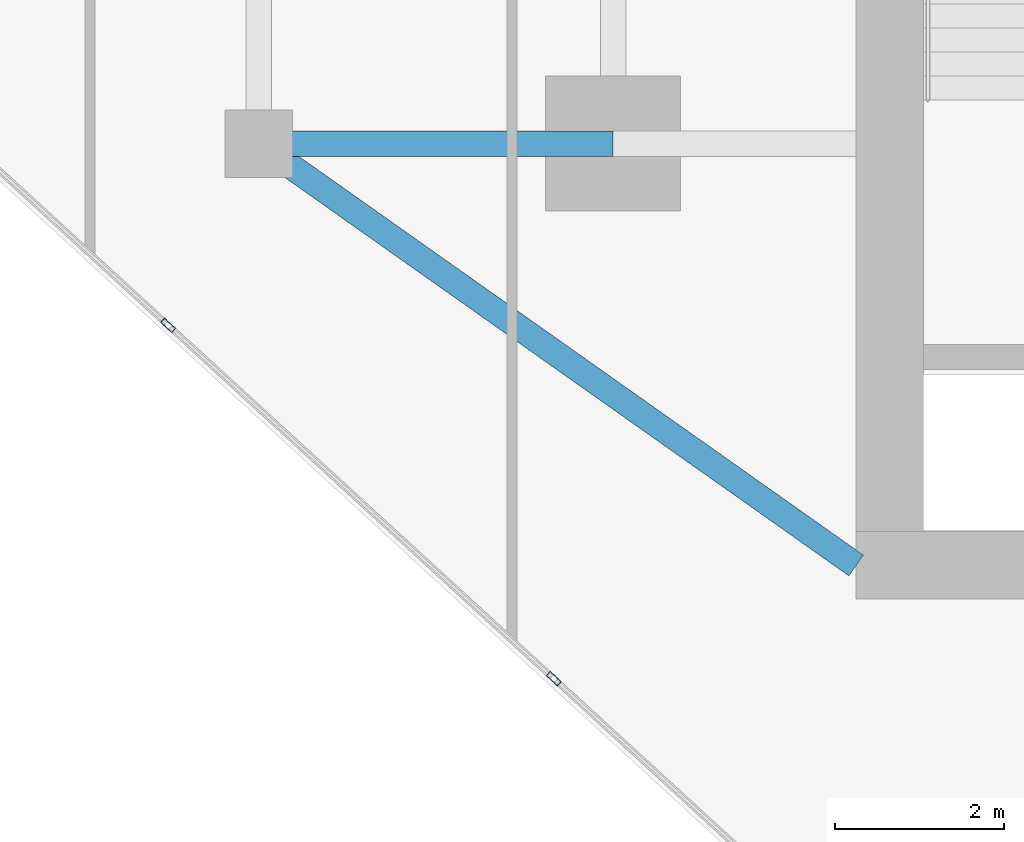
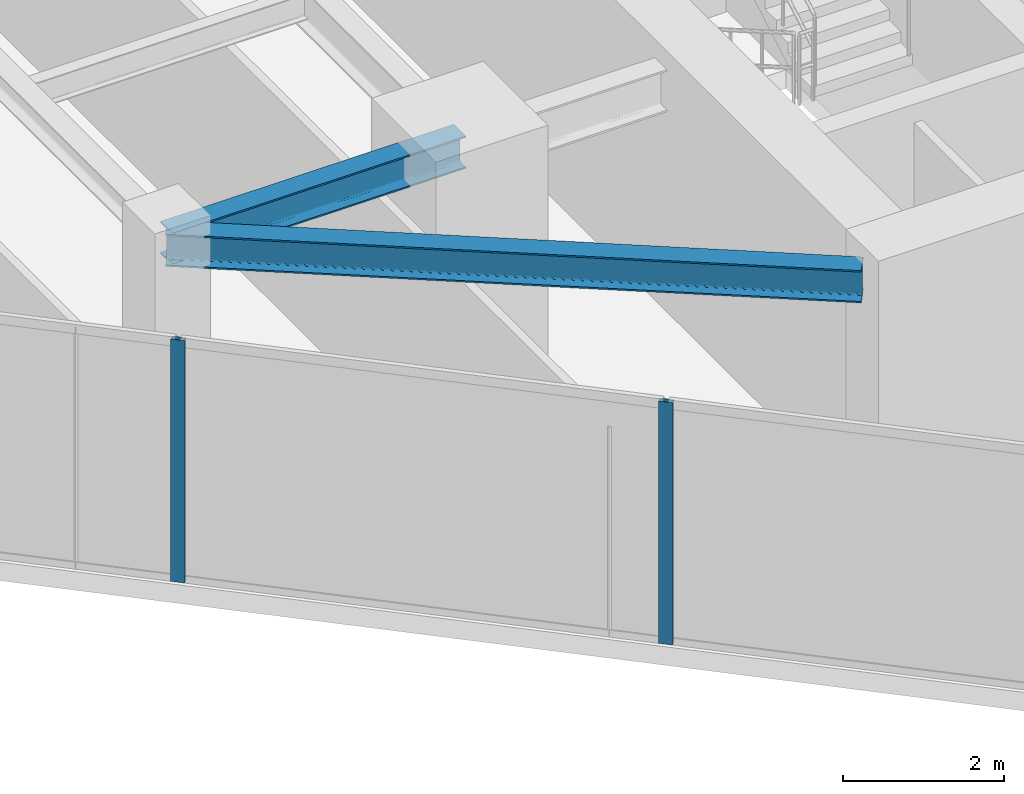
# One storey, part 2 of 26: 2 beams, 2 members, 1 element without a shape of its own.
"""IFC4 building model written with IfcOpenShell, lengths in metres."""

from ifc_helpers import new_model, si_unit, direction, frame, origin, origin_2d, place, context, subcontext, project, spatial, hollow_rectangle, i_section, extrude, source, transform, mapped, material, material_profile, profile_set, type_object, type_shapes, element, aggregate, save


model = new_model("IFC4")

# Units and contexts
model_context = context("Model", 3, precision=1e-05, world=origin(), true_north=direction((0.0, 1.0)))
body_context = subcontext(model_context, "Body", "Model", "MODEL_VIEW")
ifc_project = project(units=[si_unit("LENGTHUNIT", "METRE"), si_unit("AREAUNIT", "SQUARE_METRE"), si_unit("VOLUMEUNIT", "CUBIC_METRE"), si_unit("PLANEANGLEUNIT", "RADIAN"), si_unit("MASSUNIT", "GRAM", prefix="KILO")], contexts=[model_context])

# Site, building, storey
site_placement = place(None, origin())
site = spatial("IfcSite", under=ifc_project, at=site_placement, CompositionType="ELEMENT")
building_placement = place(site_placement, origin())
building = spatial("IfcBuilding", under=site, at=building_placement, Name="Krantzveldt Concourse Tower", CompositionType="ELEMENT")
storey_placement = place(building_placement, frame((0.0, 0.0, 223.10009765625)))
storey = spatial("IfcBuildingStorey", under=building, at=storey_placement, Name="L54", CompositionType="ELEMENT", Elevation=223.10009765625)

# Beams
ifc_material_1 = material(Name="Steel S355JR", Category="steel")
ifc_material_profile_1 = material_profile(ifc_material_1, i_section(OverallWidth=0.300048828125, OverallDepth=0.489990234375, WebThickness=0.011962890625, FlangeThickness=0.02294921875, FilletRadius=0.027099609375, at=origin_2d()), Name="Steel S355JR", Category="steel")
ifc_profile_set_1 = profile_set([ifc_material_profile_1], Name="Steel S355JR - HEA 500")
beam_type = type_object("IfcBeamType", Name="BM-B-HEA500", PredefinedType="BEAM", material=ifc_profile_set_1)
shared_shape_1 = source(origin(), body_context, "Body", "SweptSolid", [
    extrude(i_section(OverallWidth=0.300048828125, OverallDepth=0.489990234375, WebThickness=0.011962890625, FlangeThickness=0.02294921875, FilletRadius=0.027099609375, at=origin_2d()), origin(), (0.0, 0.0, 1.0), 4.199951171875),
])
beam_1_placement = place(storey_placement, frame((21.0, 15.89990234375, 3.4248046875), z_axis=(1.0, 0.0, 0.0), x_axis=(0.0, 1.0, 0.0)))
element("IfcBeam", 1, at=beam_1_placement, inside=storey, type_object=beam_type, Name="L54 Tower Girder BR-RL1", PredefinedType="BEAM", context=body_context, shape_type="MappedRepresentation", body=[
    mapped(shared_shape_1, transform((0.0, 0.0, 0.0), x_axis=(1.0, 0.0, 0.0), y_axis=(0.0, 1.0, 0.0), z_axis=(0.0, 0.0, 1.0), scale=1.0)),
])
shared_shape_2 = source(origin(), body_context, "Body", "SweptSolid", [
    extrude(i_section(OverallWidth=0.300048828125, OverallDepth=0.489990234375, WebThickness=0.011962890625, FlangeThickness=0.02294921875, FilletRadius=0.027099609375, at=origin_2d()), origin(), (0.0, 0.0, 1.0), 8.667724609375),
])
type_shapes(beam_type, [shared_shape_1, shared_shape_2])
beam_2_placement = place(storey_placement, frame((21.0, 15.89990234375, 3.4248046875), z_axis=(0.81684294656, -0.576860122261, 0.0), x_axis=(0.576860122261, 0.81684294656, 0.0)))
element("IfcBeam", 2, at=beam_2_placement, inside=storey, type_object=beam_type, Name="L54 Tower Girder BR-CSW", PredefinedType="BEAM", context=body_context, shape_type="MappedRepresentation", body=[
    mapped(shared_shape_2, transform((0.0, 0.0, 0.0), x_axis=(1.0, 0.0, 0.0), y_axis=(0.0, 1.0, 0.0), z_axis=(0.0, 0.0, 1.0), scale=1.0)),
])

# Curtain wall, members
ifc_material_2 = material(Name="Anodised aluminium 6063-T6", Category="aluminium")
curtain_wall_type = type_object("IfcCurtainWallType", Name="CW3", PredefinedType="USERDEFINED", material=ifc_material_2)
curtain_wall_placement = place(storey_placement, origin())
curtain_wall = element("IfcCurtainWall", 3, at=curtain_wall_placement, inside=storey, type_object=curtain_wall_type, Name="CW-L54-F04", ObjectType="UNITISED CURTAIN WALL", PredefinedType="USERDEFINED")
ifc_material_profile_2 = material_profile(ifc_material_2, hollow_rectangle(XDim=0.070068359375, YDim=0.179931640625, WallThickness=0.0048828125, at=origin_2d()), Name="Anodised aluminium 6063-T6", Category="aluminium")
ifc_profile_set_2 = profile_set([ifc_material_profile_2], Name="Anodised aluminium 6063-T6 - ALU-MULL 180x70x5")
member_type = type_object("IfcMemberType", Name="CW-MUL-180", PredefinedType="MULLION", material=ifc_profile_set_2)
shared_shape_3 = source(origin(), body_context, "Body", "SweptSolid", [
    extrude(hollow_rectangle(XDim=0.070068359375, YDim=0.179931640625, WallThickness=0.0048828125, at=origin_2d()), origin(), (0.0, 0.0, 1.0), 3.669921875),
])
type_shapes(member_type, [shared_shape_3])
member_1_placement = place(storey_placement, frame((19.925537109375, 13.74658203125, 0.0), z_axis=(0.0, 0.0, 1.0), x_axis=(0.675590053651, 0.737277477893, 0.0)))
member_1 = element("IfcMember", 4, at=member_1_placement, type_object=member_type, Name="CW-Z34 mullion 3", PredefinedType="MULLION", context=body_context, shape_type="MappedRepresentation", body=[
    mapped(shared_shape_3, transform((0.0, 0.0, 0.0), x_axis=(1.0, 0.0, 0.0), y_axis=(0.0, 1.0, 0.0), z_axis=(0.0, 0.0, 1.0), scale=1.0)),
])
member_2_placement = place(storey_placement, frame((24.496826171875, 9.557861328125, 0.0), z_axis=(0.0, 0.0, 1.0), x_axis=(0.675590053651, 0.737277477893, 0.0)))
member_2 = element("IfcMember", 5, at=member_2_placement, type_object=member_type, Name="CW-Z34 mullion 4", PredefinedType="MULLION", context=body_context, shape_type="MappedRepresentation", body=[
    mapped(shared_shape_3, transform((0.0, 0.0, 0.0), x_axis=(1.0, 0.0, 0.0), y_axis=(0.0, 1.0, 0.0), z_axis=(0.0, 0.0, 1.0), scale=1.0)),
])
aggregate(curtain_wall, [member_1, member_2])

save(model, "model.ifc")
